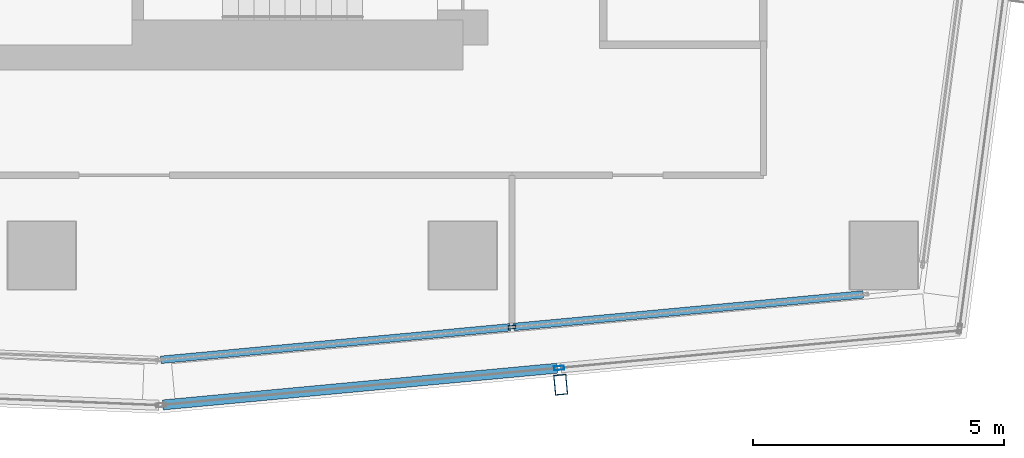
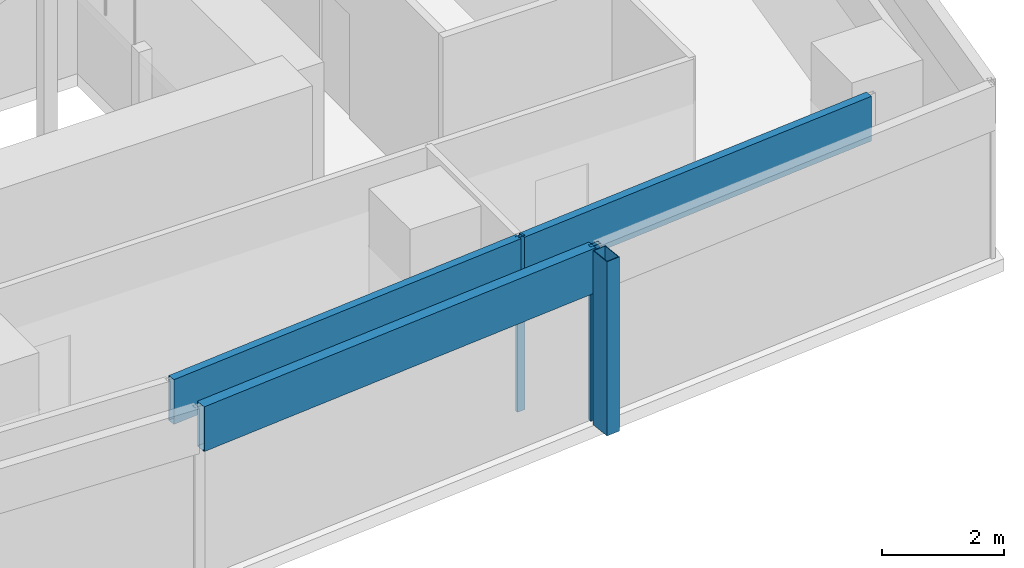
# One storey, part 11 of 39: 6 members, 2 elements without a shape of their own.
"""IFC4 building model written with IfcOpenShell, lengths in metres."""

import ifcopenshell
import ifcopenshell.guid

model = None  # the IFC model being written
_history = None  # IfcOwnerHistory: only IFC2X3 demands one
_inside = {}  # id of a spatial element -> (the spatial element, [elements in it])
_under = {}  # id of a project, library or spatial element -> (it, [spatial elements below it])
_declared = {}  # id of a project -> (the project, [libraries it declares])
_typed = {}  # id of a type object -> (the type object, [elements of that type])
_made_of = {}  # id of a material, layer set ... -> (it, [elements and type objects made of it])


def new_model(schema):
    """Start an empty IFC model of exactly this schema.

    Asked for "IFC4X3", IfcOpenShell would pick the latest addendum, in which some entities
    have other attributes; the version numbers below select the first issue.
    IFC2X3 requires an IfcOwnerHistory on every rooted entity: one is made here for all.
    """
    global model, _history
    if schema == "IFC4X3":
        model = ifcopenshell.file(schema_version=(4, 3, 0, 0))
    else:
        model = ifcopenshell.file(schema=schema)
    _inside.clear()
    _under.clear()
    _declared.clear()
    _typed.clear()
    _made_of.clear()
    _history = None
    if model.schema == "IFC2X3":
        org = make("IfcOrganization", Name="unknown")
        user = make(
            "IfcPersonAndOrganization",
            ThePerson=make("IfcPerson", FamilyName="unknown"),
            TheOrganization=org,
        )
        app = make(
            "IfcApplication",
            ApplicationDeveloper=org,
            Version="unknown",
            ApplicationFullName="unknown",
            ApplicationIdentifier="unknown",
        )
        _history = make(
            "IfcOwnerHistory",
            OwningUser=user,
            OwningApplication=app,
            ChangeAction="ADDED",
            CreationDate=0,
        )
    return model


def make(cls, **values):
    """One entity of the class cls with the attributes given. An attribute that is None is left unset."""
    return model.create_entity(
        cls, **{name: value for name, value in values.items() if value is not None}
    )


def rooted(cls, **values):
    """An entity with a GlobalId (a new one), such as an element, a storey or a relation."""
    return make(cls, GlobalId=ifcopenshell.guid.new(), OwnerHistory=_history, **values)


def si_unit(unit_type, name, prefix=None):
    """IfcSIUnit, for example si_unit("LENGTHUNIT", "METRE", prefix="MILLI")."""
    return make("IfcSIUnit", UnitType=unit_type, Prefix=prefix, Name=name)


def assignment(units):
    """IfcUnitAssignment: the units of a project."""
    return None if units is None else make("IfcUnitAssignment", Units=units)


def point(xyz):
    """IfcCartesianPoint."""
    return None if xyz is None else make("IfcCartesianPoint", Coordinates=xyz)


def direction(xyz):
    """IfcDirection."""
    return None if xyz is None else make("IfcDirection", DirectionRatios=xyz)


def frame(location, z_axis=None, x_axis=None):
    """IfcAxis2Placement3D, a coordinate frame: its origin and axes. An axis left out is left unset."""
    return make(
        "IfcAxis2Placement3D",
        Location=point(location),
        Axis=direction(z_axis),
        RefDirection=direction(x_axis),
    )


def frame_2d(location, x_axis=None):
    """IfcAxis2Placement2D, a coordinate frame in the plane: its origin and x axis."""
    return make(
        "IfcAxis2Placement2D", Location=point(location), RefDirection=direction(x_axis)
    )


def origin():
    """The frame at (0, 0, 0) with its axes left unset."""
    return frame((0.0, 0.0, 0.0))


def origin_2d():
    """The frame at (0, 0) in the plane with its x axis left unset."""
    return frame_2d((0.0, 0.0))


def place(relative_to, where):
    """IfcLocalPlacement: puts the frame where relative to a parent placement (None: the world)."""
    return make(
        "IfcLocalPlacement", PlacementRelTo=relative_to, RelativePlacement=where
    )


def context(
    kind, dimensions, precision=None, world=None, true_north=None, identifier=None
):
    """IfcGeometricRepresentationContext, for example the 3D "Model" context."""
    return make(
        "IfcGeometricRepresentationContext",
        ContextIdentifier=identifier,
        ContextType=kind,
        CoordinateSpaceDimension=dimensions,
        Precision=precision,
        WorldCoordinateSystem=world,
        TrueNorth=true_north,
    )


def subcontext(parent, identifier, kind, view, scale=None):
    """IfcGeometricRepresentationSubContext, for example "Body" below "Model"."""
    return make(
        "IfcGeometricRepresentationSubContext",
        ContextIdentifier=identifier,
        ContextType=kind,
        ParentContext=parent,
        TargetScale=scale,
        TargetView=view,
    )


def project(units=None, contexts=None):
    """IfcProject with its units and contexts."""
    return rooted(
        "IfcProject",
        Name="project",
        RepresentationContexts=contexts,
        UnitsInContext=assignment(units),
    )


def spatial(cls, under=None, at=None, **own):
    """A site, building, storey or space (cls), placed at a placement, below another one or the project."""
    s = rooted(cls, ObjectPlacement=at, **own)
    if under is not None:
        _under.setdefault(under.id(), (under, []))[1].append(s)
    return s


def profile(cls, at=None, kind="AREA", **sizes):
    """A parametric profile (cls). Its sizes go by their IFC names, for example OverallWidth=200.0."""
    return make(cls, ProfileType=kind, Position=at, **sizes)


def hollow_rectangle(**sizes):
    """IfcRectangleHollowProfileDef."""
    return profile("IfcRectangleHollowProfileDef", **sizes)


def extrude(swept, where, along, depth):
    """IfcExtrudedAreaSolid: the profile swept, set in the frame where, extruded along a direction by depth."""
    return make(
        "IfcExtrudedAreaSolid",
        SweptArea=swept,
        Position=where,
        ExtrudedDirection=direction(along),
        Depth=depth,
    )


def shape(context_of_items, identifier, shape_type, items):
    """IfcShapeRepresentation: the items that make up one representation, for example the "Body"."""
    return make(
        "IfcShapeRepresentation",
        ContextOfItems=context_of_items,
        RepresentationIdentifier=identifier,
        RepresentationType=shape_type,
        Items=items,
    )


def material(Name=None, Category=None):
    """IfcMaterial."""
    return make("IfcMaterial", Name=Name, Category=Category)


def material_profile(
    of_material, cross_section, Name=None, Category=None, Priority=None
):
    """IfcMaterialProfile: a cross section and its material."""
    return make(
        "IfcMaterialProfile",
        Name=Name,
        Material=of_material,
        Profile=cross_section,
        Priority=Priority,
        Category=Category,
    )


def profile_set(profiles, Name=None, composite=None):
    """IfcMaterialProfileSet."""
    return make(
        "IfcMaterialProfileSet",
        Name=Name,
        MaterialProfiles=profiles,
        CompositeProfile=composite,
    )


def made_of(thing, what):
    """Note that an element or type object is made of a material, layer set ...; save() writes the relation."""
    if what is not None:
        _made_of.setdefault(what.id(), (what, []))[1].append(thing)
    return thing


def type_object(cls, material=None, **own):
    """A type object (cls), such as IfcWallType, which elements share."""
    return made_of(rooted(cls, **own), material)


def element(
    cls,
    number,
    at=None,
    inside=None,
    cuts=None,
    type_object=None,
    material=None,
    context=None,
    identifier="Body",
    shape_type=None,
    held_by="IfcProductDefinitionShape",
    body=None,
    shapes=None,
    **own,
):
    """One element of the class cls, such as IfcWall. Its Tag is "e" and its number.

    at: its placement. inside: the storey or other place that contains it. cuts: it is an
    opening in that element (IfcRelVoidsElement). A single representation is given by context,
    identifier, shape_type and body (its items); several are given by shapes. held_by: the class
    of the entity that holds the representations. save() writes the other relations.
    """
    e = rooted(cls, Tag="e%d" % number, ObjectPlacement=at, **own)
    if body is not None:
        shapes = [shape(context, identifier, shape_type, body)]
    if shapes is not None:
        e.Representation = make(held_by, Representations=shapes)
    if inside is not None:
        _inside.setdefault(inside.id(), (inside, []))[1].append(e)
    if cuts is not None:
        rooted(
            "IfcRelVoidsElement", RelatingBuildingElement=cuts, RelatedOpeningElement=e
        )
    if type_object is not None:
        _typed.setdefault(type_object.id(), (type_object, []))[1].append(e)
    return made_of(e, material)


def aggregate(whole, parts):
    """IfcRelAggregates: a whole, such as a stair, and the parts it consists of."""
    return rooted("IfcRelAggregates", RelatingObject=whole, RelatedObjects=parts)


def save(model, path):
    """Write the relations noted so far, then the file.

    IfcRelAggregates (storeys below a building ...), IfcRelContainedInSpatialStructure (elements
    in a storey), IfcRelDefinesByType, IfcRelAssociatesMaterial and IfcRelDeclares: one each for
    every whole, place, type object, material and project.
    """
    for whole, parts in _under.values():
        aggregate(whole, parts)
    for where, things in _inside.values():
        rooted(
            "IfcRelContainedInSpatialStructure",
            RelatedElements=things,
            RelatingStructure=where,
        )
    for kind, things in _typed.values():
        rooted("IfcRelDefinesByType", RelatedObjects=things, RelatingType=kind)
    for what, things in _made_of.values():
        rooted("IfcRelAssociatesMaterial", RelatedObjects=things, RelatingMaterial=what)
    for by, libraries in _declared.values():
        rooted("IfcRelDeclares", RelatingContext=by, RelatedDefinitions=libraries)
    model.write(path)


model = new_model("IFC4")

# Units and contexts
model_context = context("Model", 3, precision=1e-05, world=origin(), true_north=direction((0.0, 1.0)))
body_context = subcontext(model_context, "Body", "Model", "MODEL_VIEW")
ifc_project = project(units=[si_unit("LENGTHUNIT", "METRE"), si_unit("AREAUNIT", "SQUARE_METRE"), si_unit("VOLUMEUNIT", "CUBIC_METRE"), si_unit("PLANEANGLEUNIT", "RADIAN"), si_unit("MASSUNIT", "GRAM", prefix="KILO")], contexts=[model_context])

# Site, building, storey
site_placement = place(None, origin())
site = spatial("IfcSite", under=ifc_project, at=site_placement, CompositionType="ELEMENT")
building_placement = place(site_placement, origin())
building = spatial("IfcBuilding", under=site, at=building_placement, Name="Rekha Terrace Tower", CompositionType="ELEMENT")
storey_placement = place(building_placement, frame((0.0, 0.0, 217.699951171875)))
storey = spatial("IfcBuildingStorey", under=building, at=storey_placement, Name="L55", CompositionType="ELEMENT", Elevation=217.699951171875)

# Curtain wall, member
ifc_material_1 = material(Name="Aluminium framing", Category="aluminium")
curtain_wall_type_1 = type_object("IfcCurtainWallType", Name="CW2 double skin outer glazing", PredefinedType="USERDEFINED", material=ifc_material_1)
curtain_wall_1_placement = place(storey_placement, origin())
curtain_wall_1 = element("IfcCurtainWall", 1, at=curtain_wall_1_placement, inside=storey, type_object=curtain_wall_type_1, Name="CW2 double skin outer glazing", ObjectType="DOUBLE SKIN OUTER GLAZING", PredefinedType="USERDEFINED")
ifc_material_2 = material(Name="Steel S355 with fluorocarbon finish", Category="steel")
ifc_material_profile_1 = material_profile(ifc_material_2, hollow_rectangle(XDim=0.25, YDim=0.39990234375, WallThickness=0.012451171875, at=origin_2d()), Name="RHS400x250x12.5")
ifc_profile_set_1 = profile_set([ifc_material_profile_1], Name="Steel S355 with fluorocarbon finish")
member_type_1 = type_object("IfcMemberType", Name="BL1 facade blade RHS 400 x 250", PredefinedType="USERDEFINED", material=ifc_profile_set_1)
member_1_placement = place(storey_placement, frame((52.35302734375, 14.22021484375, 0.0), z_axis=(0.0, 0.0, 1.0), x_axis=(0.995693203185, 0.092709466242, 0.0)))
member_1 = element("IfcMember", 2, at=member_1_placement, type_object=member_type_1, Name="Facade blade", ObjectType="FACADE BLADE", PredefinedType="USERDEFINED", context=body_context, shape_type="SweptSolid", body=[
    extrude(hollow_rectangle(XDim=0.25, YDim=0.39990234375, WallThickness=0.012451171875, at=origin_2d()), origin(), (0.0, 0.0, 1.0), 3.5),
])

# Curtain wall, members
curtain_wall_type_2 = type_object("IfcCurtainWallType", Name="CW1 double skin inner glazing", PredefinedType="USERDEFINED", material=ifc_material_1)
curtain_wall_2_placement = place(storey_placement, origin())
curtain_wall_2 = element("IfcCurtainWall", 3, at=curtain_wall_2_placement, inside=storey, type_object=curtain_wall_type_2, Name="CW1 double skin inner glazing", ObjectType="DOUBLE SKIN INNER GLAZING", PredefinedType="USERDEFINED")
ifc_material_3 = material(Name="Aluminium mullion section", Category="aluminium")
ifc_material_profile_2 = material_profile(ifc_material_3, hollow_rectangle(XDim=0.06494140625, YDim=0.14990234375, WallThickness=0.00390625, at=origin_2d()), Name="AL RHS 65x150")
ifc_profile_set_2 = profile_set([ifc_material_profile_2], Name="Aluminium mullion section")
member_type_2 = type_object("IfcMemberType", Name="CW1 mullion RHS 65 x 150", PredefinedType="MULLION", material=ifc_profile_set_2)
member_2_placement = place(storey_placement, frame((51.3818359375, 15.370361328125, 0.0), z_axis=(0.0, 0.0, 1.0), x_axis=(-0.092708869564, 0.995693258742, 0.0)))
member_2 = element("IfcMember", 4, at=member_2_placement, type_object=member_type_2, Name="CW1 mullion 2", PredefinedType="MULLION", context=body_context, shape_type="SweptSolid", body=[
    extrude(hollow_rectangle(XDim=0.06494140625, YDim=0.14990234375, WallThickness=0.00390625, at=origin_2d()), origin(), (0.0, 0.0, 1.0), 3.5),
])
ifc_material_4 = material(Name="Insulated aluminium spandrel box", Category="aluminium")
ifc_material_profile_3 = material_profile(ifc_material_4, hollow_rectangle(XDim=0.14990234375, YDim=0.89990234375, WallThickness=0.0029296875, at=origin_2d()), Name="AL SPANDREL BOX 150x900")
ifc_profile_set_3 = profile_set([ifc_material_profile_3], Name="Insulated aluminium spandrel box")
member_type_3 = type_object("IfcMemberType", Name="CW1 spandrel transom 150 x 900", PredefinedType="USERDEFINED", material=ifc_profile_set_3)
member_3_placement = place(storey_placement, frame((44.376708984375, 14.718017578125, 3.050048828125), z_axis=(0.995694259474, 0.092698121072, 0.0), x_axis=(-0.092698121072, 0.995694259474, 0.0)))
member_3 = element("IfcMember", 5, at=member_3_placement, type_object=member_type_3, Name="CW1 spandrel transom 1", ObjectType="TRANSOM", PredefinedType="USERDEFINED", context=body_context, shape_type="SweptSolid", body=[
    extrude(hollow_rectangle(XDim=0.14990234375, YDim=0.89990234375, WallThickness=0.0029296875, at=origin_2d()), origin(), (0.0, 0.0, 1.0), 7.003173828125),
])
member_4_placement = place(storey_placement, frame((51.414306640625, 15.373291015625, 3.050048828125), z_axis=(0.995694259474, 0.092698121072, 0.0), x_axis=(-0.092698121072, 0.995694259474, 0.0)))
member_4 = element("IfcMember", 6, at=member_4_placement, type_object=member_type_3, Name="CW1 spandrel transom 2", ObjectType="TRANSOM", PredefinedType="USERDEFINED", context=body_context, shape_type="SweptSolid", body=[
    extrude(hollow_rectangle(XDim=0.14990234375, YDim=0.89990234375, WallThickness=0.0029296875, at=origin_2d()), origin(), (0.0, 0.0, 1.0), 7.003173828125),
])
aggregate(curtain_wall_2, [member_2, member_3, member_4])

# Member
ifc_material_profile_4 = material_profile(ifc_material_3, hollow_rectangle(XDim=0.080078125, YDim=0.199951171875, WallThickness=0.00390625, at=origin_2d()), Name="AL RHS 80x200")
ifc_profile_set_4 = profile_set([ifc_material_profile_4], Name="Aluminium mullion section")
member_type_4 = type_object("IfcMemberType", Name="CW2 mullion RHS 80 x 200", PredefinedType="MULLION", material=ifc_profile_set_4)
member_5_placement = place(storey_placement, frame((52.322021484375, 14.553955078125, 0.0), z_axis=(0.0, 0.0, 1.0), x_axis=(-0.092708869512, 0.995693258747, 0.0)))
member_5 = element("IfcMember", 7, at=member_5_placement, type_object=member_type_4, Name="CW2 mullion 2", PredefinedType="MULLION", context=body_context, shape_type="SweptSolid", body=[
    extrude(hollow_rectangle(XDim=0.080078125, YDim=0.199951171875, WallThickness=0.00390625, at=origin_2d()), origin(), (0.0, 0.0, 1.0), 3.5),
])

ifc_material_profile_5 = material_profile(ifc_material_4, hollow_rectangle(XDim=0.199951171875, YDim=0.89990234375, WallThickness=0.0029296875, at=origin_2d()), Name="AL SPANDREL BOX 200x900")
ifc_profile_set_5 = profile_set([ifc_material_profile_5], Name="Insulated aluminium spandrel box")
member_type_5 = type_object("IfcMemberType", Name="CW2 spandrel transom 200 x 900", PredefinedType="USERDEFINED", material=ifc_profile_set_5)
member_6_placement = place(storey_placement, frame((44.41552734375, 13.817626953125, 3.050048828125), z_axis=(0.995690937161, 0.092733799963, 0.0), x_axis=(-0.092733799963, 0.995690937161, 0.0)))
member_6 = element("IfcMember", 8, at=member_6_placement, type_object=member_type_5, Name="CW2 spandrel transom 1", ObjectType="TRANSOM", PredefinedType="USERDEFINED", context=body_context, shape_type="SweptSolid", body=[
    extrude(hollow_rectangle(XDim=0.199951171875, YDim=0.89990234375, WallThickness=0.0029296875, at=origin_2d()), origin(), (0.0, 0.0, 1.0), 7.900634765625),
])

aggregate(curtain_wall_1, [member_5, member_6, member_1])

save(model, "model.ifc")
